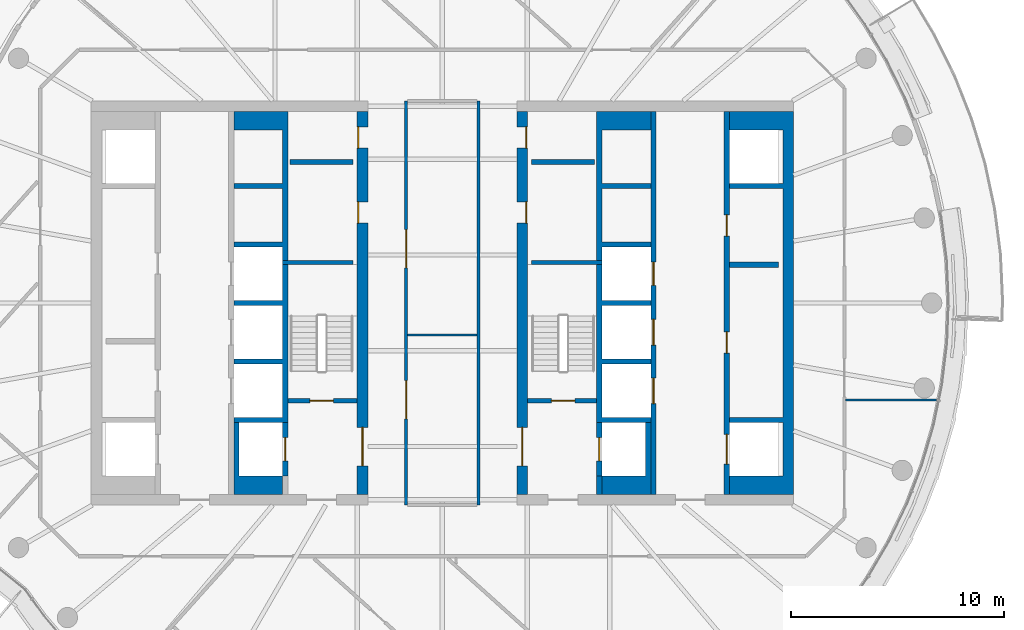
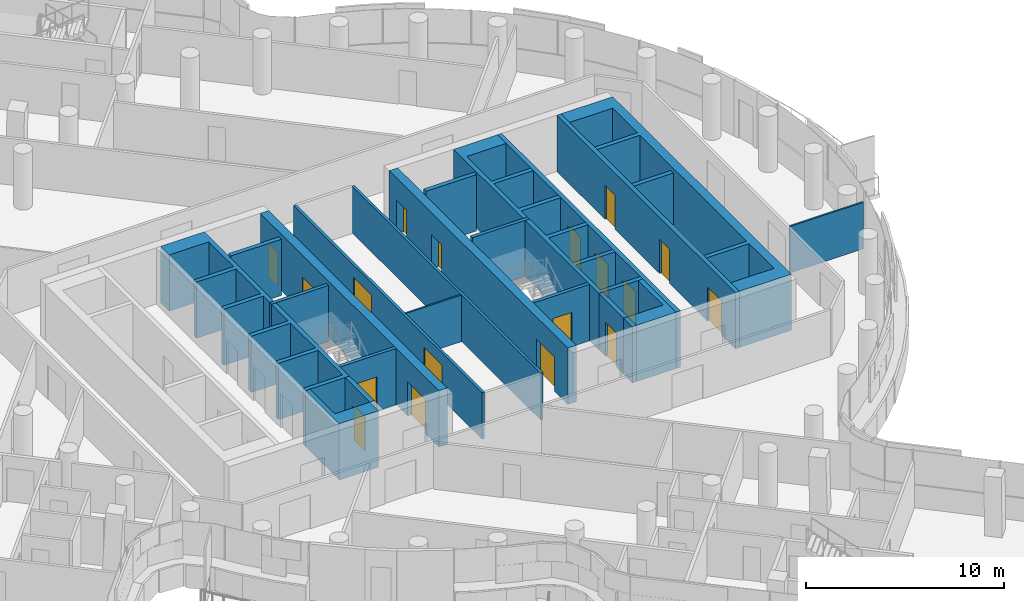
# One storey, part 21 of 31: 23 walls, 18 doors, 18 openings.
"""IFC4 building model written with IfcOpenShell, lengths in metres."""

from ifc_helpers import new_model, si_unit, direction, frame, frame_2d, origin, place, context, subcontext, project, spatial, polyline, rectangle, outline, extrude, material, layer, layer_set, type_object, element, fill, save


model = new_model("IFC4")

# Units and contexts
model_context = context("Model", 3, precision=1e-05, world=origin(), true_north=direction((0.0, 1.0)))
body_context = subcontext(model_context, "Body", "Model", "MODEL_VIEW")
ifc_project = project(units=[si_unit("LENGTHUNIT", "METRE"), si_unit("AREAUNIT", "SQUARE_METRE"), si_unit("VOLUMEUNIT", "CUBIC_METRE"), si_unit("PLANEANGLEUNIT", "RADIAN"), si_unit("MASSUNIT", "GRAM", prefix="KILO")], contexts=[model_context])

# Site, building, storey
site_placement = place(None, origin())
site = spatial("IfcSite", under=ifc_project, at=site_placement, CompositionType="ELEMENT")
building_placement = place(site_placement, origin())
building = spatial("IfcBuilding", under=site, at=building_placement, Name="Tamarind Cross Interchange Tower", CompositionType="ELEMENT")
storey_placement = place(building_placement, frame((0.0, 0.0, 207.699951171875)))
storey = spatial("IfcBuildingStorey", under=building, at=storey_placement, Name="L52", CompositionType="ELEMENT", Elevation=207.699951171875)

# Wall, openings, doors
ifc_material_1 = material(Name="Concrete C55", Category="concrete")
ifc_layer_1 = layer(ifc_material_1, 0.5)
ifc_layer_set_1 = layer_set([ifc_layer_1], Name="Concrete C55")
wall_type_1 = type_object("IfcWallType", Name="Core wall 500 mm Concrete C55", PredefinedType="SHEAR", material=ifc_layer_set_1)
wall_1_placement = place(storey_placement, frame((-3.75, -9.0, 0.0), z_axis=(0.0, 0.0, 1.0), x_axis=(0.0, 1.0, 0.0)))
wall_1 = element("IfcWall", 1, at=wall_1_placement, inside=storey, type_object=wall_type_1, Name="Core wall CWL-L52-W-IN", PredefinedType="SHEAR", context=body_context, shape_type="SweptSolid", body=[
    extrude(rectangle(XDim=18.0, YDim=0.5, at=frame_2d((9.0, 0.0))), origin(), (0.0, 0.0, 1.0), 3.4599609375),
])
opening_1_placement = place(wall_1_placement, frame((1.35009765625, 0.0, 0.0)))
opening_1 = element("IfcOpeningElement", 2, at=opening_1_placement, cuts=wall_1, Name="Opening DCW4", PredefinedType="OPENING", context=body_context, shape_type="SweptSolid", body=[
    extrude(rectangle(XDim=1.800048828125, YDim=2.10009765625, at=frame_2d((0.89990234375, 1.050048828125))), frame((0.0, 0.260009765625, 0.0), z_axis=(0.0, -1.0, 0.0), x_axis=(1.0, 0.0, 0.0)), (0.0, 0.0, 1.0), 0.52001953125),
])
opening_2_placement = place(wall_1_placement, frame((12.74951171875, 0.0, 0.0)))
opening_2 = element("IfcOpeningElement", 3, at=opening_2_placement, cuts=wall_1, Name="Opening DCW5", PredefinedType="OPENING", context=body_context, shape_type="SweptSolid", body=[
    extrude(rectangle(XDim=1.0, YDim=2.10009765625, at=frame_2d((0.5, 1.050048828125))), frame((0.0, 0.260009765625, 0.0), z_axis=(0.0, -1.0, 0.0), x_axis=(1.0, 0.0, 0.0)), (0.0, 0.0, 1.0), 0.52001953125),
])
opening_3_placement = place(wall_1_placement, frame((16.2744140625, 0.0, 0.0)))
opening_3 = element("IfcOpeningElement", 4, at=opening_3_placement, cuts=wall_1, Name="Opening DCW5", PredefinedType="OPENING", context=body_context, shape_type="SweptSolid", body=[
    extrude(rectangle(XDim=1.0, YDim=2.10009765625, at=frame_2d((0.5, 1.050048828125))), frame((0.0, 0.260009765625, 0.0), z_axis=(0.0, -1.0, 0.0), x_axis=(1.0, 0.0, 0.0)), (0.0, 0.0, 1.0), 0.52001953125),
])
ifc_material_2 = material(Name="Steel, fire-resisting", Category="steel")
door_type_1 = type_object("IfcDoorType", Name="Core fire door 1000 x 2100 FD90", OperationType="SINGLE_SWING_LEFT", PredefinedType="DOOR", material=ifc_material_2)
door_1_placement = place(opening_2_placement, origin())
door_1 = element("IfcDoor", 5, at=door_1_placement, inside=storey, type_object=door_type_1, Name="L52 riser room door", OperationType="SINGLE_SWING_LEFT", OverallHeight=2.10009765625, OverallWidth=1.0, PredefinedType="DOOR", context=body_context, shape_type="SweptSolid", body=[
    extrude(rectangle(XDim=1.0, YDim=2.10009765625, at=frame_2d((0.5, 1.050048828125))), frame((0.0, 0.22509765625, 0.0), z_axis=(0.0, -1.0, 0.0), x_axis=(1.0, 0.0, 0.0)), (0.0, 0.0, 1.0), 0.050048828125),
])
fill(opening_2, door_1)
door_2_placement = place(opening_3_placement, origin())
door_2 = element("IfcDoor", 6, at=door_2_placement, inside=storey, type_object=door_type_1, Name="L52 linen press door", OperationType="SINGLE_SWING_LEFT", OverallHeight=2.10009765625, OverallWidth=1.0, PredefinedType="DOOR", context=body_context, shape_type="SweptSolid", body=[
    extrude(rectangle(XDim=1.0, YDim=2.10009765625, at=frame_2d((0.5, 1.050048828125))), frame((0.0, 0.22509765625, 0.0), z_axis=(0.0, -1.0, 0.0), x_axis=(1.0, 0.0, 0.0)), (0.0, 0.0, 1.0), 0.050048828125),
])
fill(opening_3, door_2)
door_type_2 = type_object("IfcDoorType", Name="Core fire door 1800 x 2100 FD90", OperationType="SINGLE_SWING_LEFT", PredefinedType="DOOR", material=ifc_material_2)
door_3_placement = place(opening_1_placement, origin())
door_3 = element("IfcDoor", 7, at=door_3_placement, inside=storey, type_object=door_type_2, Name="L52 firefighting lobby door", OperationType="SINGLE_SWING_LEFT", OverallHeight=2.10009765625, OverallWidth=1.800048828125, PredefinedType="DOOR", context=body_context, shape_type="SweptSolid", body=[
    extrude(rectangle(XDim=1.800048828125, YDim=2.10009765625, at=frame_2d((0.89990234375, 1.050048828125))), frame((0.0, 0.02490234375, 0.0), z_axis=(0.0, -1.0, 0.0), x_axis=(1.0, 0.0, 0.0)), (0.0, 0.0, 1.0), 0.050048828125),
])
fill(opening_1, door_3)

# Wall
wall_2_placement = place(storey_placement, origin())
element("IfcWall", 8, at=wall_2_placement, inside=storey, type_object=wall_type_1, Name="Core wall CWL-L52-E-A", PredefinedType="SHEAR", context=body_context, shape_type="SweptSolid", body=[
    extrude(outline(polyline([(13.5, -8.125), (13.5, -9.0), (16.0, -9.0), (16.5, -9.0), (16.5, 9.0), (16.0, 9.0), (13.5, 9.0), (13.5, 8.125), (16.0, 8.125), (16.0, 5.625), (13.5, 5.625), (13.5, 5.375), (16.0, 5.375), (16.0, -5.375), (13.5, -5.375), (13.5, -5.625), (16.0, -5.625), (16.0, -8.125), (13.5, -8.125)])), origin(), (0.0, 0.0, 1.0), 3.4599609375),
])

# Wall, openings, doors
wall_3_placement = place(storey_placement, frame((3.75, -9.0, 0.0), z_axis=(0.0, 0.0, 1.0), x_axis=(0.0, 1.0, 0.0)))
wall_3 = element("IfcWall", 9, at=wall_3_placement, inside=storey, type_object=wall_type_1, Name="Core wall CWL-L52-E-IN", PredefinedType="SHEAR", context=body_context, shape_type="SweptSolid", body=[
    extrude(rectangle(XDim=18.0, YDim=0.5, at=frame_2d((9.0, 0.0))), origin(), (0.0, 0.0, 1.0), 3.4599609375),
])
opening_4_placement = place(wall_3_placement, frame((1.35009765625, 0.0, 0.0)))
opening_4 = element("IfcOpeningElement", 10, at=opening_4_placement, cuts=wall_3, Name="Opening DCE4", PredefinedType="OPENING", context=body_context, shape_type="SweptSolid", body=[
    extrude(rectangle(XDim=1.800048828125, YDim=2.10009765625, at=frame_2d((0.89990234375, 1.050048828125))), frame((0.0, 0.260009765625, 0.0), z_axis=(0.0, -1.0, 0.0), x_axis=(1.0, 0.0, 0.0)), (0.0, 0.0, 1.0), 0.52001953125),
])
opening_5_placement = place(wall_3_placement, frame((12.74951171875, 0.0, 0.0)))
opening_5 = element("IfcOpeningElement", 11, at=opening_5_placement, cuts=wall_3, Name="Opening DCE5", PredefinedType="OPENING", context=body_context, shape_type="SweptSolid", body=[
    extrude(rectangle(XDim=1.0, YDim=2.10009765625, at=frame_2d((0.5, 1.050048828125))), frame((0.0, 0.260009765625, 0.0), z_axis=(0.0, -1.0, 0.0), x_axis=(1.0, 0.0, 0.0)), (0.0, 0.0, 1.0), 0.52001953125),
])
opening_6_placement = place(wall_3_placement, frame((16.2744140625, 0.0, 0.0)))
opening_6 = element("IfcOpeningElement", 12, at=opening_6_placement, cuts=wall_3, Name="Opening DCE5", PredefinedType="OPENING", context=body_context, shape_type="SweptSolid", body=[
    extrude(rectangle(XDim=1.0, YDim=2.10009765625, at=frame_2d((0.5, 1.050048828125))), frame((0.0, 0.260009765625, 0.0), z_axis=(0.0, -1.0, 0.0), x_axis=(1.0, 0.0, 0.0)), (0.0, 0.0, 1.0), 0.52001953125),
])
door_4_placement = place(opening_5_placement, origin())
door_4 = element("IfcDoor", 13, at=door_4_placement, inside=storey, type_object=door_type_1, Name="L52 riser room door", OperationType="SINGLE_SWING_LEFT", OverallHeight=2.10009765625, OverallWidth=1.0, PredefinedType="DOOR", context=body_context, shape_type="SweptSolid", body=[
    extrude(rectangle(XDim=1.0, YDim=2.10009765625, at=frame_2d((0.5, 1.050048828125))), frame((0.0, -0.1748046875, 0.0), z_axis=(0.0, -1.0, 0.0), x_axis=(1.0, 0.0, 0.0)), (0.0, 0.0, 1.0), 0.050048828125),
])
fill(opening_5, door_4)
door_5_placement = place(opening_6_placement, origin())
door_5 = element("IfcDoor", 14, at=door_5_placement, inside=storey, type_object=door_type_1, Name="L52 linen press door", OperationType="SINGLE_SWING_LEFT", OverallHeight=2.10009765625, OverallWidth=1.0, PredefinedType="DOOR", context=body_context, shape_type="SweptSolid", body=[
    extrude(rectangle(XDim=1.0, YDim=2.10009765625, at=frame_2d((0.5, 1.050048828125))), frame((0.0, -0.1748046875, 0.0), z_axis=(0.0, -1.0, 0.0), x_axis=(1.0, 0.0, 0.0)), (0.0, 0.0, 1.0), 0.050048828125),
])
fill(opening_6, door_5)
door_6_placement = place(opening_4_placement, origin())
door_6 = element("IfcDoor", 15, at=door_6_placement, inside=storey, type_object=door_type_2, Name="L52 firefighting lobby door", OperationType="SINGLE_SWING_LEFT", OverallHeight=2.10009765625, OverallWidth=1.800048828125, PredefinedType="DOOR", context=body_context, shape_type="SweptSolid", body=[
    extrude(rectangle(XDim=1.800048828125, YDim=2.10009765625, at=frame_2d((0.89990234375, 1.050048828125))), frame((0.0, 0.02490234375, 0.0), z_axis=(0.0, -1.0, 0.0), x_axis=(1.0, 0.0, 0.0)), (0.0, 0.0, 1.0), 0.050048828125),
])
fill(opening_4, door_6)

# Walls
ifc_layer_2 = layer(ifc_material_1, 0.199951171875)
ifc_layer_set_2 = layer_set([ifc_layer_2], Name="Concrete C55")
wall_type_2 = type_object("IfcWallType", Name="Core web wall 200 mm Concrete C55", PredefinedType="SHEAR", material=ifc_layer_set_2)
for number, where, z_axis, x_axis, name in (
    (16, (-7.5, 1.89990234375, 0.0), (0.0, 0.0, 1.0), (1.0, 0.0, 0.0), "Core wall CWL-L52-W-BD"),
    (17, (7.5, 1.89990234375, 0.0), (0.0, 0.0, 1.0), (-1.0, 0.0, 0.0), "Core wall CWL-L52-E-BD"),
):
    element("IfcWall", number, at=place(storey_placement, frame(where, z_axis=z_axis, x_axis=x_axis)), inside=storey, type_object=wall_type_2, Name=name, PredefinedType="SHEAR", context=body_context, shape_type="SweptSolid", body=[
        extrude(rectangle(XDim=3.300048828125, YDim=0.199951171875, at=frame_2d((1.64990234375, 0.0))), origin(), (0.0, 0.0, 1.0), 3.4599609375),
    ])
ifc_layer_3 = layer(ifc_material_1, 0.25)
ifc_layer_set_3 = layer_set([ifc_layer_3], Name="Concrete C55")
wall_type_3 = type_object("IfcWallType", Name="Core web wall 250 mm Concrete C55", PredefinedType="SHEAR", material=ifc_layer_set_3)
wall_4_placement = place(storey_placement, origin())
element("IfcWall", 18, at=wall_4_placement, inside=storey, type_object=wall_type_3, Name="Core wall CWL-L52-W-BN", PredefinedType="SHEAR", context=body_context, shape_type="SweptSolid", body=[
    extrude(outline(polyline([(-9.800048828125, -5.375), (-9.800048828125, -5.625), (-7.5, -5.625), (-7.25, -5.625), (-7.25, 9.0), (-7.5, 9.0), (-9.800048828125, 9.0), (-9.800048828125, 8.125), (-7.5, 8.125), (-7.5, 5.625), (-9.800048828125, 5.625), (-9.800048828125, 5.375), (-7.5, 5.375), (-7.5, 2.875), (-9.800048828125, 2.875), (-9.800048828125, 2.625), (-7.5, 2.625), (-7.5, 0.125), (-9.800048828125, 0.125), (-9.800048828125, -0.125), (-7.5, -0.125), (-7.5, -2.625), (-9.800048828125, -2.625), (-9.800048828125, -2.875), (-7.5, -2.875), (-7.5, -5.375), (-9.800048828125, -5.375)])), origin(), (0.0, 0.0, 1.0), 3.4599609375),
])
wall_5_placement = place(storey_placement, origin())
element("IfcWall", 19, at=wall_5_placement, inside=storey, type_object=wall_type_3, Name="Core wall CWL-L52-W-BS", PredefinedType="SHEAR", context=body_context, shape_type="SweptSolid", body=[
    extrude(outline(polyline([(-7.5, -8.125), (-9.550048828125, -8.125), (-9.550048828125, -5.625), (-9.800048828125, -5.625), (-9.800048828125, -8.125), (-9.800048828125, -9.0), (-7.5, -9.0), (-7.5, -8.125)])), origin(), (0.0, 0.0, 1.0), 3.4599609375),
])

# Wall, opening, door
wall_6_placement = place(storey_placement, frame((-7.375, -8.125, 0.0), z_axis=(0.0, 0.0, 1.0), x_axis=(0.0, 1.0, 0.0)))
wall_6 = element("IfcWall", 20, at=wall_6_placement, inside=storey, type_object=wall_type_3, Name="Core wall CWL-L52-W-FF", PredefinedType="SHEAR", context=body_context, shape_type="SweptSolid", body=[
    extrude(rectangle(XDim=2.5, YDim=0.25, at=frame_2d((1.25, 0.0))), origin(), (0.0, 0.0, 1.0), 3.4599609375),
])
opening_7_placement = place(wall_6_placement, frame((0.699951171875, 0.0, 0.0)))
opening_7 = element("IfcOpeningElement", 21, at=opening_7_placement, cuts=wall_6, Name="Opening LD7L52", PredefinedType="OPENING", context=body_context, shape_type="SweptSolid", body=[
    extrude(rectangle(XDim=1.10009765625, YDim=2.10009765625, at=frame_2d((0.550048828125, 1.050048828125))), frame((0.0, 0.135009765625, 0.0), z_axis=(0.0, -1.0, 0.0), x_axis=(1.0, 0.0, 0.0)), (0.0, 0.0, 1.0), 0.27001953125),
])
ifc_material_3 = material(Name="Stainless steel panel", Category="steel")
door_type_3 = type_object("IfcDoorType", Name="Lift landing door 1100 x 2100 E 120", OperationType="SLIDING_TO_LEFT", PredefinedType="DOOR", material=ifc_material_3)
door_7_placement = place(opening_7_placement, origin())
door_7 = element("IfcDoor", 22, at=door_7_placement, inside=storey, type_object=door_type_3, Name="L52 landing door LF7", OperationType="SLIDING_TO_LEFT", OverallHeight=2.10009765625, OverallWidth=1.10009765625, PredefinedType="DOOR", context=body_context, shape_type="SweptSolid", body=[
    extrude(rectangle(XDim=1.10009765625, YDim=2.10009765625, at=frame_2d((0.550048828125, 1.050048828125))), frame((0.0, 0.02490234375, 0.0), z_axis=(0.0, -1.0, 0.0), x_axis=(1.0, 0.0, 0.0)), (0.0, 0.0, 1.0), 0.050048828125),
])
fill(opening_7, door_7)

# Walls
wall_7_placement = place(storey_placement, origin())
element("IfcWall", 23, at=wall_7_placement, inside=storey, type_object=wall_type_3, Name="Core wall CWL-L52-E-BN", PredefinedType="SHEAR", context=body_context, shape_type="SweptSolid", body=[
    extrude(outline(polyline([(9.800048828125, -5.375), (7.5, -5.375), (7.5, -2.875), (9.800048828125, -2.875), (9.800048828125, -2.625), (7.5, -2.625), (7.5, -0.125), (9.800048828125, -0.125), (9.800048828125, 0.125), (7.5, 0.125), (7.5, 2.625), (9.800048828125, 2.625), (9.800048828125, 2.875), (7.5, 2.875), (7.5, 5.375), (9.800048828125, 5.375), (9.800048828125, 5.625), (7.5, 5.625), (7.5, 8.125), (9.800048828125, 8.125), (9.800048828125, 9.0), (7.5, 9.0), (7.25, 9.0), (7.25, -5.625), (7.5, -5.625), (9.800048828125, -5.625), (9.800048828125, -5.375)])), origin(), (0.0, 0.0, 1.0), 3.4599609375),
])
wall_8_placement = place(storey_placement, origin())
element("IfcWall", 24, at=wall_8_placement, inside=storey, type_object=wall_type_3, Name="Core wall CWL-L52-E-BS", PredefinedType="SHEAR", context=body_context, shape_type="SweptSolid", body=[
    extrude(outline(polyline([(7.5, -8.125), (7.5, -9.0), (9.800048828125, -9.0), (9.800048828125, -8.125), (9.800048828125, -5.625), (9.550048828125, -5.625), (9.550048828125, -8.125), (7.5, -8.125)])), origin(), (0.0, 0.0, 1.0), 3.4599609375),
])
wall_9_placement = place(storey_placement, frame((7.375, -9.0, 0.0), z_axis=(0.0, 0.0, 1.0), x_axis=(0.0, 1.0, 0.0)))
element("IfcWall", 25, at=wall_9_placement, inside=storey, type_object=wall_type_3, Name="Core wall CWL-L52-E-BW", PredefinedType="SHEAR", context=body_context, shape_type="SweptSolid", body=[
    extrude(rectangle(XDim=0.875, YDim=0.25, at=frame_2d((0.4375, 0.0))), origin(), (0.0, 0.0, 1.0), 3.4599609375),
])

# Wall, openings, doors
wall_10_placement = place(storey_placement, frame((13.375, -9.0, 0.0), z_axis=(0.0, 0.0, 1.0), x_axis=(0.0, 1.0, 0.0)))
wall_10 = element("IfcWall", 26, at=wall_10_placement, inside=storey, type_object=wall_type_3, Name="Core wall CWL-L52-E-LA", PredefinedType="SHEAR", context=body_context, shape_type="SweptSolid", body=[
    extrude(rectangle(XDim=18.0, YDim=0.25, at=frame_2d((9.0, 0.0))), origin(), (0.0, 0.0, 1.0), 3.4599609375),
])
opening_8_placement = place(wall_10_placement, frame((1.425048828125, 0.0, 0.0)))
opening_8 = element("IfcOpeningElement", 27, at=opening_8_placement, cuts=wall_10, Name="Opening LD13L52", PredefinedType="OPENING", context=body_context, shape_type="SweptSolid", body=[
    extrude(rectangle(XDim=1.39990234375, YDim=2.10009765625, at=frame_2d((0.699951171875, 1.050048828125))), frame((0.0, 0.135009765625, 0.0), z_axis=(0.0, -1.0, 0.0), x_axis=(1.0, 0.0, 0.0)), (0.0, 0.0, 1.0), 0.27001953125),
])
opening_9_placement = place(wall_10_placement, frame((6.64599609375, 0.0, 0.0)))
opening_9 = element("IfcOpeningElement", 28, at=opening_9_placement, cuts=wall_10, Name="Opening DCE9", PredefinedType="OPENING", context=body_context, shape_type="SweptSolid", body=[
    extrude(rectangle(XDim=1.0, YDim=2.10009765625, at=frame_2d((0.5, 1.050048828125))), frame((0.0, 0.135009765625, 0.0), z_axis=(0.0, -1.0, 0.0), x_axis=(1.0, 0.0, 0.0)), (0.0, 0.0, 1.0), 0.27001953125),
])
opening_10_placement = place(wall_10_placement, frame((12.14599609375, 0.0, 0.0)))
opening_10 = element("IfcOpeningElement", 29, at=opening_10_placement, cuts=wall_10, Name="Opening DCE10", PredefinedType="OPENING", context=body_context, shape_type="SweptSolid", body=[
    extrude(rectangle(XDim=1.0, YDim=2.10009765625, at=frame_2d((0.5, 1.050048828125))), frame((0.0, 0.135009765625, 0.0), z_axis=(0.0, -1.0, 0.0), x_axis=(1.0, 0.0, 0.0)), (0.0, 0.0, 1.0), 0.27001953125),
])
door_8_placement = place(opening_9_placement, origin())
door_8 = element("IfcDoor", 30, at=door_8_placement, inside=storey, type_object=door_type_1, Name="L52 Ice and vending room door", OperationType="SINGLE_SWING_LEFT", OverallHeight=2.10009765625, OverallWidth=1.0, PredefinedType="DOOR", context=body_context, shape_type="SweptSolid", body=[
    extrude(rectangle(XDim=1.0, YDim=2.10009765625, at=frame_2d((0.5, 1.050048828125))), frame((0.0, 0.02490234375, 0.0), z_axis=(0.0, -1.0, 0.0), x_axis=(1.0, 0.0, 0.0)), (0.0, 0.0, 1.0), 0.050048828125),
])
fill(opening_9, door_8)
door_9_placement = place(opening_10_placement, origin())
door_9 = element("IfcDoor", 31, at=door_9_placement, inside=storey, type_object=door_type_1, Name="L52 Guest laundry door", OperationType="SINGLE_SWING_LEFT", OverallHeight=2.10009765625, OverallWidth=1.0, PredefinedType="DOOR", context=body_context, shape_type="SweptSolid", body=[
    extrude(rectangle(XDim=1.0, YDim=2.10009765625, at=frame_2d((0.5, 1.050048828125))), frame((0.0, 0.02490234375, 0.0), z_axis=(0.0, -1.0, 0.0), x_axis=(1.0, 0.0, 0.0)), (0.0, 0.0, 1.0), 0.050048828125),
])
fill(opening_10, door_9)
door_type_4 = type_object("IfcDoorType", Name="Lift landing door 1400 x 2100 E 120", OperationType="SLIDING_TO_LEFT", PredefinedType="DOOR", material=ifc_material_3)
door_10_placement = place(opening_8_placement, origin())
door_10 = element("IfcDoor", 32, at=door_10_placement, inside=storey, type_object=door_type_4, Name="L52 landing door LF13", OperationType="SLIDING_TO_LEFT", OverallHeight=2.10009765625, OverallWidth=1.39990234375, PredefinedType="DOOR", context=body_context, shape_type="SweptSolid", body=[
    extrude(rectangle(XDim=1.39990234375, YDim=2.10009765625, at=frame_2d((0.699951171875, 1.050048828125))), frame((0.0, 0.02490234375, 0.0), z_axis=(0.0, -1.0, 0.0), x_axis=(1.0, 0.0, 0.0)), (0.0, 0.0, 1.0), 0.050048828125),
])
fill(opening_8, door_10)

wall_11_placement = place(storey_placement, frame((9.925048828125, -9.0, 0.0), z_axis=(0.0, 0.0, 1.0), x_axis=(0.0, 1.0, 0.0)))
wall_11 = element("IfcWall", 33, at=wall_11_placement, inside=storey, type_object=wall_type_3, Name="Core wall CWL-L52-E-LB", PredefinedType="SHEAR", context=body_context, shape_type="SweptSolid", body=[
    extrude(rectangle(XDim=18.0, YDim=0.25, at=frame_2d((9.0, 0.0))), origin(), (0.0, 0.0, 1.0), 3.4599609375),
])
opening_11_placement = place(wall_11_placement, frame((4.27490234375, 0.0, 0.0)))
opening_11 = element("IfcOpeningElement", 34, at=opening_11_placement, cuts=wall_11, Name="Opening LD20L52", PredefinedType="OPENING", context=body_context, shape_type="SweptSolid", body=[
    extrude(rectangle(XDim=1.199951171875, YDim=2.10009765625, at=frame_2d((0.60009765625, 1.050048828125))), frame((0.0, 0.135009765625, 0.0), z_axis=(0.0, -1.0, 0.0), x_axis=(1.0, 0.0, 0.0)), (0.0, 0.0, 1.0), 0.27001953125),
])
opening_12_placement = place(wall_11_placement, frame((7.02490234375, 0.0, 0.0)))
opening_12 = element("IfcOpeningElement", 35, at=opening_12_placement, cuts=wall_11, Name="Opening LD21L52", PredefinedType="OPENING", context=body_context, shape_type="SweptSolid", body=[
    extrude(rectangle(XDim=1.199951171875, YDim=2.10009765625, at=frame_2d((0.60009765625, 1.050048828125))), frame((0.0, 0.135009765625, 0.0), z_axis=(0.0, -1.0, 0.0), x_axis=(1.0, 0.0, 0.0)), (0.0, 0.0, 1.0), 0.27001953125),
])
opening_13_placement = place(wall_11_placement, frame((9.824951171875, 0.0, 0.0)))
opening_13 = element("IfcOpeningElement", 36, at=opening_13_placement, cuts=wall_11, Name="Opening LD22L52", PredefinedType="OPENING", context=body_context, shape_type="SweptSolid", body=[
    extrude(rectangle(XDim=1.10009765625, YDim=2.10009765625, at=frame_2d((0.550048828125, 1.050048828125))), frame((0.0, 0.135009765625, 0.0), z_axis=(0.0, -1.0, 0.0), x_axis=(1.0, 0.0, 0.0)), (0.0, 0.0, 1.0), 0.27001953125),
])
door_11_placement = place(opening_13_placement, origin())
door_11 = element("IfcDoor", 37, at=door_11_placement, inside=storey, type_object=door_type_3, Name="L52 landing door LF22", OperationType="SLIDING_TO_LEFT", OverallHeight=2.10009765625, OverallWidth=1.10009765625, PredefinedType="DOOR", context=body_context, shape_type="SweptSolid", body=[
    extrude(rectangle(XDim=1.10009765625, YDim=2.10009765625, at=frame_2d((0.550048828125, 1.050048828125))), frame((0.0, 0.02490234375, 0.0), z_axis=(0.0, -1.0, 0.0), x_axis=(1.0, 0.0, 0.0)), (0.0, 0.0, 1.0), 0.050048828125),
])
fill(opening_13, door_11)
door_type_5 = type_object("IfcDoorType", Name="Lift landing door 1200 x 2100 E 120", OperationType="SLIDING_TO_LEFT", PredefinedType="DOOR", material=ifc_material_3)
door_12_placement = place(opening_11_placement, origin())
door_12 = element("IfcDoor", 38, at=door_12_placement, inside=storey, type_object=door_type_5, Name="L52 landing door LF20", OperationType="SLIDING_TO_LEFT", OverallHeight=2.10009765625, OverallWidth=1.199951171875, PredefinedType="DOOR", context=body_context, shape_type="SweptSolid", body=[
    extrude(rectangle(XDim=1.199951171875, YDim=2.10009765625, at=frame_2d((0.60009765625, 1.050048828125))), frame((0.0, 0.02490234375, 0.0), z_axis=(0.0, -1.0, 0.0), x_axis=(1.0, 0.0, 0.0)), (0.0, 0.0, 1.0), 0.050048828125),
])
fill(opening_11, door_12)
door_13_placement = place(opening_12_placement, origin())
door_13 = element("IfcDoor", 39, at=door_13_placement, inside=storey, type_object=door_type_5, Name="L52 landing door LF21", OperationType="SLIDING_TO_LEFT", OverallHeight=2.10009765625, OverallWidth=1.199951171875, PredefinedType="DOOR", context=body_context, shape_type="SweptSolid", body=[
    extrude(rectangle(XDim=1.199951171875, YDim=2.10009765625, at=frame_2d((0.60009765625, 1.050048828125))), frame((0.0, 0.02490234375, 0.0), z_axis=(0.0, -1.0, 0.0), x_axis=(1.0, 0.0, 0.0)), (0.0, 0.0, 1.0), 0.050048828125),
])
fill(opening_12, door_13)

# Wall, opening, door
wall_12_placement = place(storey_placement, frame((7.375, -8.125, 0.0), z_axis=(0.0, 0.0, 1.0), x_axis=(0.0, 1.0, 0.0)))
wall_12 = element("IfcWall", 40, at=wall_12_placement, inside=storey, type_object=wall_type_3, Name="Core wall CWL-L52-E-FF", PredefinedType="SHEAR", context=body_context, shape_type="SweptSolid", body=[
    extrude(rectangle(XDim=2.5, YDim=0.25, at=frame_2d((1.25, 0.0))), origin(), (0.0, 0.0, 1.0), 3.4599609375),
])
opening_14_placement = place(wall_12_placement, frame((0.699951171875, 0.0, 0.0)))
opening_14 = element("IfcOpeningElement", 41, at=opening_14_placement, cuts=wall_12, Name="Opening LD19L52", PredefinedType="OPENING", context=body_context, shape_type="SweptSolid", body=[
    extrude(rectangle(XDim=1.10009765625, YDim=2.10009765625, at=frame_2d((0.550048828125, 1.050048828125))), frame((0.0, 0.135009765625, 0.0), z_axis=(0.0, -1.0, 0.0), x_axis=(1.0, 0.0, 0.0)), (0.0, 0.0, 1.0), 0.27001953125),
])
door_14_placement = place(opening_14_placement, origin())
door_14 = element("IfcDoor", 42, at=door_14_placement, inside=storey, type_object=door_type_3, Name="L52 landing door LF19", OperationType="SLIDING_TO_LEFT", OverallHeight=2.10009765625, OverallWidth=1.10009765625, PredefinedType="DOOR", context=body_context, shape_type="SweptSolid", body=[
    extrude(rectangle(XDim=1.10009765625, YDim=2.10009765625, at=frame_2d((0.550048828125, 1.050048828125))), frame((0.0, 0.02490234375, 0.0), z_axis=(0.0, -1.0, 0.0), x_axis=(1.0, 0.0, 0.0)), (0.0, 0.0, 1.0), 0.050048828125),
])
fill(opening_14, door_14)

# Walls
ifc_material_4 = material(Name="Gypsum board partition on steel studs", Category="steel")
ifc_layer_4 = layer(ifc_material_4, 0.10009765625)
ifc_layer_set_4 = layer_set([ifc_layer_4], Name="Gypsum board partition on steel studs")
wall_type_4 = type_object("IfcWallType", Name="Partition 100 mm EI 120", PredefinedType="PARTITIONING", material=ifc_layer_set_4)
wall_13_placement = place(storey_placement, frame((-1.639892578125, -1.5, 0.0), z_axis=(0.0, 0.0, 1.0), x_axis=(1.0, 0.0, 0.0)))
element("IfcWall", 43, at=wall_13_placement, inside=storey, type_object=wall_type_4, Name="Partition L52-033", PredefinedType="PARTITIONING", context=body_context, shape_type="SweptSolid", body=[
    extrude(rectangle(XDim=3.27978515625, YDim=0.10009765625, at=frame_2d((1.639892578125, 0.0))), origin(), (0.0, 0.0, 1.0), 2.864013671875),
])
ifc_layer_5 = layer(ifc_material_4, 0.10009765625)
ifc_layer_set_5 = layer_set([ifc_layer_5], Name="Gypsum board partition on steel studs")
wall_type_5 = type_object("IfcWallType", Name="Partition 100 mm EI 90", PredefinedType="PARTITIONING", material=ifc_layer_set_5)
wall_14_placement = place(storey_placement, frame((18.955078125, -4.56005859375, 0.0), z_axis=(0.0, 0.0, 1.0), x_axis=(1.0, 0.0, 0.0)))
element("IfcWall", 44, at=wall_14_placement, inside=storey, type_object=wall_type_5, Name="Partition L52-035", PredefinedType="PARTITIONING", context=body_context, shape_type="SweptSolid", body=[
    extrude(rectangle(XDim=4.277099609375, YDim=0.10009765625, at=frame_2d((2.138671875, 0.0))), origin(), (0.0, 0.0, 1.0), 2.864013671875),
])

# Wall, openings, doors
ifc_layer_6 = layer(ifc_material_4, 0.14990234375)
ifc_layer_set_6 = layer_set([ifc_layer_6], Name="Gypsum board partition on steel studs")
wall_type_6 = type_object("IfcWallType", Name="Partition 150 mm EI 120", PredefinedType="PARTITIONING", material=ifc_layer_set_6)
wall_15_placement = place(storey_placement, frame((-1.699951171875, -9.5, 0.0), z_axis=(0.0, 0.0, 1.0), x_axis=(0.0, 1.0, 0.0)))
wall_15 = element("IfcWall", 45, at=wall_15_placement, inside=storey, type_object=wall_type_6, Name="Partition L52-067", PredefinedType="PARTITIONING", context=body_context, shape_type="SweptSolid", body=[
    extrude(rectangle(XDim=19.0, YDim=0.14990234375, at=frame_2d((9.5, 0.0))), origin(), (0.0, 0.0, 1.0), 2.864013671875),
])
opening_15_placement = place(wall_15_placement, frame((4.050048828125, 0.0, 0.0)))
opening_15 = element("IfcOpeningElement", 46, at=opening_15_placement, cuts=wall_15, Name="Opening D40", PredefinedType="OPENING", context=body_context, shape_type="SweptSolid", body=[
    extrude(rectangle(XDim=1.800048828125, YDim=2.10009765625, at=frame_2d((0.89990234375, 1.050048828125))), frame((0.0, 0.0849609375, 0.0), z_axis=(0.0, -1.0, 0.0), x_axis=(1.0, 0.0, 0.0)), (0.0, 0.0, 1.0), 0.169921875),
])
opening_16_placement = place(wall_15_placement, frame((11.14990234375, 0.0, 0.0)))
opening_16 = element("IfcOpeningElement", 47, at=opening_16_placement, cuts=wall_15, Name="Opening D41", PredefinedType="OPENING", context=body_context, shape_type="SweptSolid", body=[
    extrude(rectangle(XDim=1.800048828125, YDim=2.10009765625, at=frame_2d((0.89990234375, 1.050048828125))), frame((0.0, 0.0849609375, 0.0), z_axis=(0.0, -1.0, 0.0), x_axis=(1.0, 0.0, 0.0)), (0.0, 0.0, 1.0), 0.169921875),
])
ifc_material_5 = material(Name="Fire-resisting door set")
door_type_6 = type_object("IfcDoorType", Name="Interior door 1800 x 2100 FD60S", OperationType="DOUBLE_DOOR_SINGLE_SWING", PredefinedType="DOOR", material=ifc_material_5)
door_15_placement = place(opening_15_placement, frame((1.800048828125, 0.0, 0.0), z_axis=(0.0, 0.0, 1.0), x_axis=(-1.0, 0.0, 0.0)))
door_15 = element("IfcDoor", 48, at=door_15_placement, inside=storey, type_object=door_type_6, Name="Door D40", OperationType="DOUBLE_DOOR_SINGLE_SWING", OverallHeight=2.10009765625, OverallWidth=1.800048828125, PredefinedType="DOOR", context=body_context, shape_type="SweptSolid", body=[
    extrude(rectangle(XDim=1.800048828125, YDim=2.10009765625, at=frame_2d((0.89990234375, 1.050048828125))), frame((0.0, 0.02490234375, 0.0), z_axis=(0.0, -1.0, 0.0), x_axis=(1.0, 0.0, 0.0)), (0.0, 0.0, 1.0), 0.050048828125),
])
fill(opening_15, door_15)
door_16_placement = place(opening_16_placement, frame((1.800048828125, 0.0, 0.0), z_axis=(0.0, 0.0, 1.0), x_axis=(-1.0, 0.0, 0.0)))
door_16 = element("IfcDoor", 49, at=door_16_placement, inside=storey, type_object=door_type_6, Name="Door D41", OperationType="DOUBLE_DOOR_SINGLE_SWING", OverallHeight=2.10009765625, OverallWidth=1.800048828125, PredefinedType="DOOR", context=body_context, shape_type="SweptSolid", body=[
    extrude(rectangle(XDim=1.800048828125, YDim=2.10009765625, at=frame_2d((0.89990234375, 1.050048828125))), frame((0.0, 0.02490234375, 0.0), z_axis=(0.0, -1.0, 0.0), x_axis=(1.0, 0.0, 0.0)), (0.0, 0.0, 1.0), 0.050048828125),
])
fill(opening_16, door_16)

# Walls
wall_16_placement = place(storey_placement, frame((1.699951171875, -9.5, 0.0), z_axis=(0.0, 0.0, 1.0), x_axis=(0.0, 1.0, 0.0)))
element("IfcWall", 50, at=wall_16_placement, inside=storey, type_object=wall_type_6, Name="Partition L52-068", PredefinedType="PARTITIONING", context=body_context, shape_type="SweptSolid", body=[
    extrude(rectangle(XDim=19.0, YDim=0.14990234375, at=frame_2d((9.5, 0.0))), origin(), (0.0, 0.0, 1.0), 2.864013671875),
])
ifc_material_6 = material(Name="Concrete C40", Category="concrete")
ifc_layer_7 = layer(ifc_material_6, 0.25)
ifc_layer_set_7 = layer_set([ifc_layer_7], Name="Concrete C40")
wall_type_7 = type_object("IfcWallType", Name="Shaft and lobby wall 250 mm Concrete C40", PredefinedType="PARTITIONING", material=ifc_layer_set_7)
for number, where, z_axis, x_axis, name in (
    (51, (-7.14990234375, 6.6240234375, 0.0), (0.0, 0.0, 1.0), (1.0, 0.0, 0.0), "Shaft wall CWL-L52-W-SVP"),
    (52, (7.14990234375, 6.6240234375, 0.0), (0.0, 0.0, 1.0), (-1.0, 0.0, 0.0), "Shaft wall CWL-L52-E-SVP"),
):
    element("IfcWall", number, at=place(storey_placement, frame(where, z_axis=z_axis, x_axis=x_axis)), inside=storey, type_object=wall_type_7, Name=name, PredefinedType="PARTITIONING", context=body_context, shape_type="SweptSolid", body=[
        extrude(rectangle(XDim=2.949951171875, YDim=0.25, at=frame_2d((1.47509765625, 0.0))), origin(), (0.0, 0.0, 1.0), 3.4599609375),
    ])
wall_17_placement = place(storey_placement, frame((15.800048828125, 1.7919921875, 0.0), z_axis=(0.0, 0.0, 1.0), x_axis=(-1.0, 0.0, 0.0)))
element("IfcWall", 53, at=wall_17_placement, inside=storey, type_object=wall_type_7, Name="Shaft wall CWL-L52-E-FPA1", PredefinedType="PARTITIONING", context=body_context, shape_type="SweptSolid", body=[
    extrude(rectangle(XDim=2.300048828125, YDim=0.25, at=frame_2d((1.14990234375, 0.0))), origin(), (0.0, 0.0, 1.0), 3.4599609375),
])

# Wall, opening, door
ifc_layer_8 = layer(ifc_material_6, 0.199951171875)
ifc_layer_set_8 = layer_set([ifc_layer_8], Name="Concrete C40")
wall_type_8 = type_object("IfcWallType", Name="Stair shaft wall 200 mm Concrete C40", PredefinedType="SHEAR", material=ifc_layer_set_8)
wall_18_placement = place(storey_placement, frame((-7.25, -4.60009765625, 0.0), z_axis=(0.0, 0.0, 1.0), x_axis=(1.0, 0.0, 0.0)))
wall_18 = element("IfcWall", 54, at=wall_18_placement, inside=storey, type_object=wall_type_8, Name="Core wall CWL-L52-W-SD", PredefinedType="SHEAR", context=body_context, shape_type="SweptSolid", body=[
    extrude(rectangle(XDim=3.25, YDim=0.199951171875, at=frame_2d((1.625, 0.0))), origin(), (0.0, 0.0, 1.0), 3.4599609375),
])
opening_17_placement = place(wall_18_placement, frame((1.02490234375, 0.0, 0.0)))
opening_17 = element("IfcOpeningElement", 55, at=opening_17_placement, cuts=wall_18, Name="Opening DCW6", PredefinedType="OPENING", context=body_context, shape_type="SweptSolid", body=[
    extrude(rectangle(XDim=1.10009765625, YDim=2.10009765625, at=frame_2d((0.550048828125, 1.050048828125))), frame((0.0, 0.10986328125, 0.0), z_axis=(0.0, -1.0, 0.0), x_axis=(1.0, 0.0, 0.0)), (0.0, 0.0, 1.0), 0.219970703125),
])
door_type_7 = type_object("IfcDoorType", Name="Core fire door 1100 x 2100 FD90", OperationType="SINGLE_SWING_LEFT", PredefinedType="DOOR", material=ifc_material_2)
door_17_placement = place(opening_17_placement, origin())
door_17 = element("IfcDoor", 56, at=door_17_placement, inside=storey, type_object=door_type_7, Name="L52 stair door", OperationType="SINGLE_SWING_LEFT", OverallHeight=2.10009765625, OverallWidth=1.10009765625, PredefinedType="DOOR", context=body_context, shape_type="SweptSolid", body=[
    extrude(rectangle(XDim=1.10009765625, YDim=2.10009765625, at=frame_2d((0.550048828125, 1.050048828125))), frame((0.0, 0.02490234375, 0.0), z_axis=(0.0, -1.0, 0.0), x_axis=(1.0, 0.0, 0.0)), (0.0, 0.0, 1.0), 0.050048828125),
])
fill(opening_17, door_17)

wall_19_placement = place(storey_placement, frame((7.25, -4.60009765625, 0.0), z_axis=(0.0, 0.0, 1.0), x_axis=(-1.0, 0.0, 0.0)))
wall_19 = element("IfcWall", 57, at=wall_19_placement, inside=storey, type_object=wall_type_8, Name="Core wall CWL-L52-E-SD", PredefinedType="SHEAR", context=body_context, shape_type="SweptSolid", body=[
    extrude(rectangle(XDim=3.25, YDim=0.199951171875, at=frame_2d((1.625, 0.0))), origin(), (0.0, 0.0, 1.0), 3.4599609375),
])
opening_18_placement = place(wall_19_placement, frame((1.02490234375, 0.0, 0.0)))
opening_18 = element("IfcOpeningElement", 58, at=opening_18_placement, cuts=wall_19, Name="Opening DCE6", PredefinedType="OPENING", context=body_context, shape_type="SweptSolid", body=[
    extrude(rectangle(XDim=1.10009765625, YDim=2.10009765625, at=frame_2d((0.550048828125, 1.050048828125))), frame((0.0, 0.10986328125, 0.0), z_axis=(0.0, -1.0, 0.0), x_axis=(1.0, 0.0, 0.0)), (0.0, 0.0, 1.0), 0.219970703125),
])
door_18_placement = place(opening_18_placement, origin())
door_18 = element("IfcDoor", 59, at=door_18_placement, inside=storey, type_object=door_type_7, Name="L52 stair door", OperationType="SINGLE_SWING_LEFT", OverallHeight=2.10009765625, OverallWidth=1.10009765625, PredefinedType="DOOR", context=body_context, shape_type="SweptSolid", body=[
    extrude(rectangle(XDim=1.10009765625, YDim=2.10009765625, at=frame_2d((0.550048828125, 1.050048828125))), frame((0.0, 0.02490234375, 0.0), z_axis=(0.0, -1.0, 0.0), x_axis=(1.0, 0.0, 0.0)), (0.0, 0.0, 1.0), 0.050048828125),
])
fill(opening_18, door_18)

save(model, "model.ifc")
